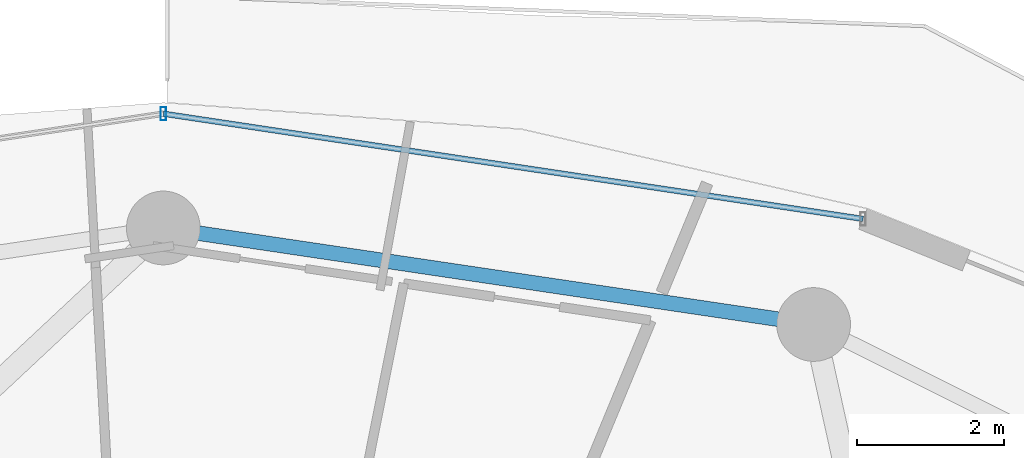
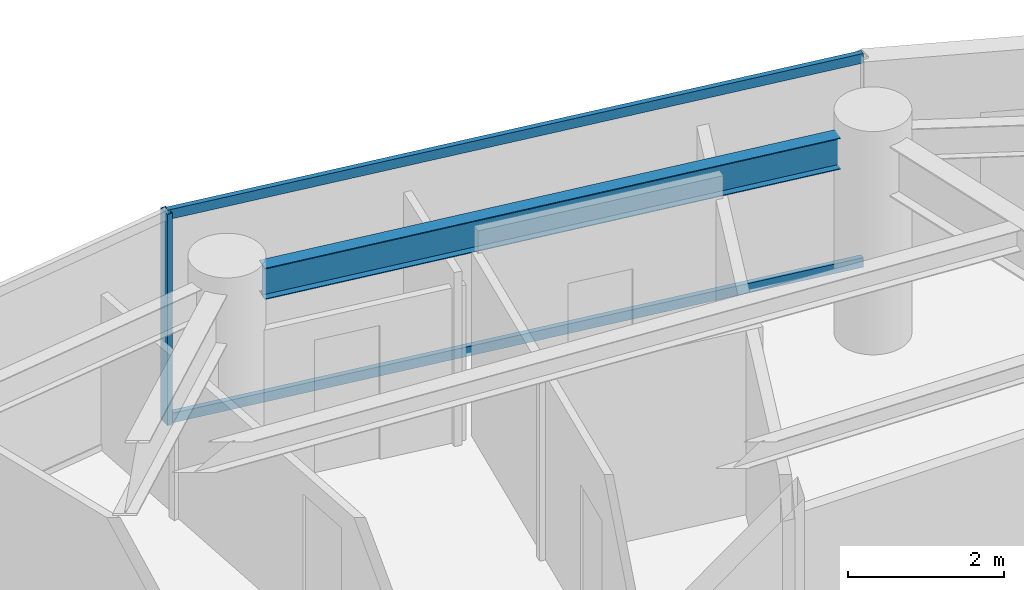
# One storey, part 17 of 28: 3 members, 1 beam, 1 element without a shape of its own.
"""IFC4 building model written with IfcOpenShell, lengths in metres."""

import ifcopenshell
import ifcopenshell.guid

model = None  # the IFC model being written
_history = None  # IfcOwnerHistory: only IFC2X3 demands one
_inside = {}  # id of a spatial element -> (the spatial element, [elements in it])
_under = {}  # id of a project, library or spatial element -> (it, [spatial elements below it])
_declared = {}  # id of a project -> (the project, [libraries it declares])
_typed = {}  # id of a type object -> (the type object, [elements of that type])
_made_of = {}  # id of a material, layer set ... -> (it, [elements and type objects made of it])


def new_model(schema):
    """Start an empty IFC model of exactly this schema.

    Asked for "IFC4X3", IfcOpenShell would pick the latest addendum, in which some entities
    have other attributes; the version numbers below select the first issue.
    IFC2X3 requires an IfcOwnerHistory on every rooted entity: one is made here for all.
    """
    global model, _history
    if schema == "IFC4X3":
        model = ifcopenshell.file(schema_version=(4, 3, 0, 0))
    else:
        model = ifcopenshell.file(schema=schema)
    _inside.clear()
    _under.clear()
    _declared.clear()
    _typed.clear()
    _made_of.clear()
    _history = None
    if model.schema == "IFC2X3":
        org = make("IfcOrganization", Name="unknown")
        user = make(
            "IfcPersonAndOrganization",
            ThePerson=make("IfcPerson", FamilyName="unknown"),
            TheOrganization=org,
        )
        app = make(
            "IfcApplication",
            ApplicationDeveloper=org,
            Version="unknown",
            ApplicationFullName="unknown",
            ApplicationIdentifier="unknown",
        )
        _history = make(
            "IfcOwnerHistory",
            OwningUser=user,
            OwningApplication=app,
            ChangeAction="ADDED",
            CreationDate=0,
        )
    return model


def make(cls, **values):
    """One entity of the class cls with the attributes given. An attribute that is None is left unset."""
    return model.create_entity(
        cls, **{name: value for name, value in values.items() if value is not None}
    )


def rooted(cls, **values):
    """An entity with a GlobalId (a new one), such as an element, a storey or a relation."""
    return make(cls, GlobalId=ifcopenshell.guid.new(), OwnerHistory=_history, **values)


def si_unit(unit_type, name, prefix=None):
    """IfcSIUnit, for example si_unit("LENGTHUNIT", "METRE", prefix="MILLI")."""
    return make("IfcSIUnit", UnitType=unit_type, Prefix=prefix, Name=name)


def assignment(units):
    """IfcUnitAssignment: the units of a project."""
    return None if units is None else make("IfcUnitAssignment", Units=units)


def point(xyz):
    """IfcCartesianPoint."""
    return None if xyz is None else make("IfcCartesianPoint", Coordinates=xyz)


def direction(xyz):
    """IfcDirection."""
    return None if xyz is None else make("IfcDirection", DirectionRatios=xyz)


def frame(location, z_axis=None, x_axis=None):
    """IfcAxis2Placement3D, a coordinate frame: its origin and axes. An axis left out is left unset."""
    return make(
        "IfcAxis2Placement3D",
        Location=point(location),
        Axis=direction(z_axis),
        RefDirection=direction(x_axis),
    )


def frame_2d(location, x_axis=None):
    """IfcAxis2Placement2D, a coordinate frame in the plane: its origin and x axis."""
    return make(
        "IfcAxis2Placement2D", Location=point(location), RefDirection=direction(x_axis)
    )


def origin():
    """The frame at (0, 0, 0) with its axes left unset."""
    return frame((0.0, 0.0, 0.0))


def origin_2d():
    """The frame at (0, 0) in the plane with its x axis left unset."""
    return frame_2d((0.0, 0.0))


def place(relative_to, where):
    """IfcLocalPlacement: puts the frame where relative to a parent placement (None: the world)."""
    return make(
        "IfcLocalPlacement", PlacementRelTo=relative_to, RelativePlacement=where
    )


def context(
    kind, dimensions, precision=None, world=None, true_north=None, identifier=None
):
    """IfcGeometricRepresentationContext, for example the 3D "Model" context."""
    return make(
        "IfcGeometricRepresentationContext",
        ContextIdentifier=identifier,
        ContextType=kind,
        CoordinateSpaceDimension=dimensions,
        Precision=precision,
        WorldCoordinateSystem=world,
        TrueNorth=true_north,
    )


def subcontext(parent, identifier, kind, view, scale=None):
    """IfcGeometricRepresentationSubContext, for example "Body" below "Model"."""
    return make(
        "IfcGeometricRepresentationSubContext",
        ContextIdentifier=identifier,
        ContextType=kind,
        ParentContext=parent,
        TargetScale=scale,
        TargetView=view,
    )


def project(units=None, contexts=None):
    """IfcProject with its units and contexts."""
    return rooted(
        "IfcProject",
        Name="project",
        RepresentationContexts=contexts,
        UnitsInContext=assignment(units),
    )


def spatial(cls, under=None, at=None, **own):
    """A site, building, storey or space (cls), placed at a placement, below another one or the project."""
    s = rooted(cls, ObjectPlacement=at, **own)
    if under is not None:
        _under.setdefault(under.id(), (under, []))[1].append(s)
    return s


def profile(cls, at=None, kind="AREA", **sizes):
    """A parametric profile (cls). Its sizes go by their IFC names, for example OverallWidth=200.0."""
    return make(cls, ProfileType=kind, Position=at, **sizes)


def hollow_rectangle(**sizes):
    """IfcRectangleHollowProfileDef."""
    return profile("IfcRectangleHollowProfileDef", **sizes)


def i_section(**sizes):
    """IfcIShapeProfileDef."""
    return profile("IfcIShapeProfileDef", **sizes)


def extrude(swept, where, along, depth):
    """IfcExtrudedAreaSolid: the profile swept, set in the frame where, extruded along a direction by depth."""
    return make(
        "IfcExtrudedAreaSolid",
        SweptArea=swept,
        Position=where,
        ExtrudedDirection=direction(along),
        Depth=depth,
    )


def shape(context_of_items, identifier, shape_type, items):
    """IfcShapeRepresentation: the items that make up one representation, for example the "Body"."""
    return make(
        "IfcShapeRepresentation",
        ContextOfItems=context_of_items,
        RepresentationIdentifier=identifier,
        RepresentationType=shape_type,
        Items=items,
    )


def material(Name=None, Category=None):
    """IfcMaterial."""
    return make("IfcMaterial", Name=Name, Category=Category)


def material_profile(
    of_material, cross_section, Name=None, Category=None, Priority=None
):
    """IfcMaterialProfile: a cross section and its material."""
    return make(
        "IfcMaterialProfile",
        Name=Name,
        Material=of_material,
        Profile=cross_section,
        Priority=Priority,
        Category=Category,
    )


def profile_set(profiles, Name=None, composite=None):
    """IfcMaterialProfileSet."""
    return make(
        "IfcMaterialProfileSet",
        Name=Name,
        MaterialProfiles=profiles,
        CompositeProfile=composite,
    )


def made_of(thing, what):
    """Note that an element or type object is made of a material, layer set ...; save() writes the relation."""
    if what is not None:
        _made_of.setdefault(what.id(), (what, []))[1].append(thing)
    return thing


def type_object(cls, material=None, **own):
    """A type object (cls), such as IfcWallType, which elements share."""
    return made_of(rooted(cls, **own), material)


def element(
    cls,
    number,
    at=None,
    inside=None,
    cuts=None,
    type_object=None,
    material=None,
    context=None,
    identifier="Body",
    shape_type=None,
    held_by="IfcProductDefinitionShape",
    body=None,
    shapes=None,
    **own,
):
    """One element of the class cls, such as IfcWall. Its Tag is "e" and its number.

    at: its placement. inside: the storey or other place that contains it. cuts: it is an
    opening in that element (IfcRelVoidsElement). A single representation is given by context,
    identifier, shape_type and body (its items); several are given by shapes. held_by: the class
    of the entity that holds the representations. save() writes the other relations.
    """
    e = rooted(cls, Tag="e%d" % number, ObjectPlacement=at, **own)
    if body is not None:
        shapes = [shape(context, identifier, shape_type, body)]
    if shapes is not None:
        e.Representation = make(held_by, Representations=shapes)
    if inside is not None:
        _inside.setdefault(inside.id(), (inside, []))[1].append(e)
    if cuts is not None:
        rooted(
            "IfcRelVoidsElement", RelatingBuildingElement=cuts, RelatedOpeningElement=e
        )
    if type_object is not None:
        _typed.setdefault(type_object.id(), (type_object, []))[1].append(e)
    return made_of(e, material)


def aggregate(whole, parts):
    """IfcRelAggregates: a whole, such as a stair, and the parts it consists of."""
    return rooted("IfcRelAggregates", RelatingObject=whole, RelatedObjects=parts)


def save(model, path):
    """Write the relations noted so far, then the file.

    IfcRelAggregates (storeys below a building ...), IfcRelContainedInSpatialStructure (elements
    in a storey), IfcRelDefinesByType, IfcRelAssociatesMaterial and IfcRelDeclares: one each for
    every whole, place, type object, material and project.
    """
    for whole, parts in _under.values():
        aggregate(whole, parts)
    for where, things in _inside.values():
        rooted(
            "IfcRelContainedInSpatialStructure",
            RelatedElements=things,
            RelatingStructure=where,
        )
    for kind, things in _typed.values():
        rooted("IfcRelDefinesByType", RelatedObjects=things, RelatingType=kind)
    for what, things in _made_of.values():
        rooted("IfcRelAssociatesMaterial", RelatedObjects=things, RelatingMaterial=what)
    for by, libraries in _declared.values():
        rooted("IfcRelDeclares", RelatingContext=by, RelatedDefinitions=libraries)
    model.write(path)


model = new_model("IFC4")

# Units and contexts
model_context = context("Model", 3, precision=1e-05, world=origin(), true_north=direction((0.0, 1.0)))
body_context = subcontext(model_context, "Body", "Model", "MODEL_VIEW")
ifc_project = project(units=[si_unit("LENGTHUNIT", "METRE"), si_unit("AREAUNIT", "SQUARE_METRE"), si_unit("VOLUMEUNIT", "CUBIC_METRE"), si_unit("PLANEANGLEUNIT", "RADIAN"), si_unit("MASSUNIT", "GRAM", prefix="KILO")], contexts=[model_context])

# Site, building, storey
site_placement = place(None, origin())
site = spatial("IfcSite", under=ifc_project, at=site_placement, CompositionType="ELEMENT")
building_placement = place(site_placement, origin())
building = spatial("IfcBuilding", under=site, at=building_placement, Name="Vorneva Point Tower", CompositionType="ELEMENT")
storey_placement = place(building_placement, frame((0.0, 0.0, 160.60009765625)))
storey = spatial("IfcBuildingStorey", under=building, at=storey_placement, Name="L43", CompositionType="ELEMENT", Elevation=160.60009765625)

# Beam
ifc_material_1 = material(Name="Steel S355", Category="steel")
ifc_material_profile_1 = material_profile(ifc_material_1, i_section(OverallWidth=0.199951171875, OverallDepth=0.491943359375, WebThickness=0.0087890625, FlangeThickness=0.011962890625, at=origin_2d()), Name="50B1")
ifc_profile_set_1 = profile_set([ifc_material_profile_1], Name="Steel S355")
beam_type = type_object("IfcBeamType", Name="BM-SPN-50B1", PredefinedType="SPANDREL", material=ifc_profile_set_1)
beam_placement = place(storey_placement, frame((46.34130859375, 41.9619140625, 2.993896484375), z_axis=(-0.989161199046, 0.146833655211, 0.0), x_axis=(-0.146833655211, -0.989161199046, 0.0)))
element("IfcBeam", 1, at=beam_placement, inside=storey, type_object=beam_type, Name="L43 Perimeter Spandrel Ring Beam 04", PredefinedType="SPANDREL", context=body_context, shape_type="SweptSolid", body=[
    extrude(i_section(OverallWidth=0.199951171875, OverallDepth=0.491943359375, WebThickness=0.0087890625, FlangeThickness=0.011962890625, at=origin_2d()), origin(), (0.0, 0.0, 1.0), 7.94775390625),
])

# Curtain wall, members
ifc_material_2 = material(Name="Pale anodised aluminium", Category="aluminium")
curtain_wall_type = type_object("IfcCurtainWallType", Name="CW-RES-SYS", PredefinedType="NOTDEFINED", material=ifc_material_2)
curtain_wall_placement = place(storey_placement, origin())
curtain_wall = element("IfcCurtainWall", 2, at=curtain_wall_placement, inside=storey, type_object=curtain_wall_type, Name="L43 Unitised Curtain Wall CW-L43-R02", PredefinedType="NOTDEFINED")
ifc_material_profile_2 = material_profile(ifc_material_2, hollow_rectangle(XDim=0.074951171875, YDim=0.179931640625, WallThickness=0.00390625, at=origin_2d()), Name="AL-MUL 180x75x4")
ifc_profile_set_2 = profile_set([ifc_material_profile_2], Name="Pale anodised aluminium")
member_type_1 = type_object("IfcMemberType", Name="CW-MUL-180", PredefinedType="MULLION", material=ifc_profile_set_2)
member_1_placement = place(storey_placement, frame((38.0, 44.75, -0.0400390625), z_axis=(0.0, 0.0, 1.0), x_axis=(1.0, 0.0, 0.0)))
member_1 = element("IfcMember", 3, at=member_1_placement, type_object=member_type_1, Name="CW-L43-R02 Mullion 02", PredefinedType="MULLION", context=body_context, shape_type="SweptSolid", body=[
    extrude(hollow_rectangle(XDim=0.074951171875, YDim=0.179931640625, WallThickness=0.00390625, at=origin_2d()), origin(), (0.0, 0.0, 1.0), 3.31005859375),
])
ifc_material_profile_3 = material_profile(ifc_material_2, hollow_rectangle(XDim=0.074951171875, YDim=0.14990234375, WallThickness=0.00390625, at=origin_2d()), Name="AL-TRN 150x75x4")
ifc_profile_set_3 = profile_set([ifc_material_profile_3], Name="Pale anodised aluminium")
member_type_2 = type_object("IfcMemberType", Name="CW-TRN-150", PredefinedType="USERDEFINED", material=ifc_profile_set_3)
member_2_placement = place(storey_placement, frame((47.490478515625, 43.32275390625, 0.02001953125), z_axis=(-0.988880117727, 0.148714870687, 0.0), x_axis=(-0.148714870687, -0.988880117727, 0.0)))
member_2 = element("IfcMember", 4, at=member_2_placement, type_object=member_type_2, Name="CW-L43-R02 Transom 01.1", ObjectType="TRANSOM", PredefinedType="USERDEFINED", context=body_context, shape_type="SweptSolid", body=[
    extrude(hollow_rectangle(XDim=0.074951171875, YDim=0.14990234375, WallThickness=0.00390625, at=origin_2d()), origin(), (0.0, 0.0, 1.0), 9.59716796875),
])
member_3_placement = place(storey_placement, frame((47.490478515625, 43.32275390625, 3.219970703125), z_axis=(-0.988880117727, 0.148714870687, 0.0), x_axis=(-0.148714870687, -0.988880117727, 0.0)))
member_3 = element("IfcMember", 5, at=member_3_placement, type_object=member_type_2, Name="CW-L43-R02 Transom 01.2", ObjectType="TRANSOM", PredefinedType="USERDEFINED", context=body_context, shape_type="SweptSolid", body=[
    extrude(hollow_rectangle(XDim=0.074951171875, YDim=0.14990234375, WallThickness=0.00390625, at=origin_2d()), origin(), (0.0, 0.0, 1.0), 9.59716796875),
])
aggregate(curtain_wall, [member_1, member_2, member_3])

save(model, "model.ifc")
